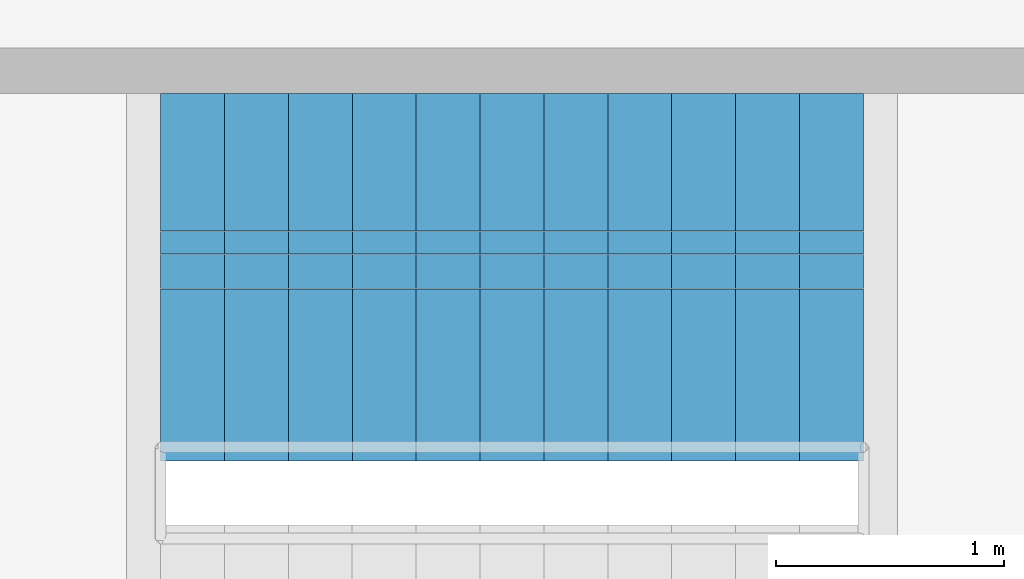
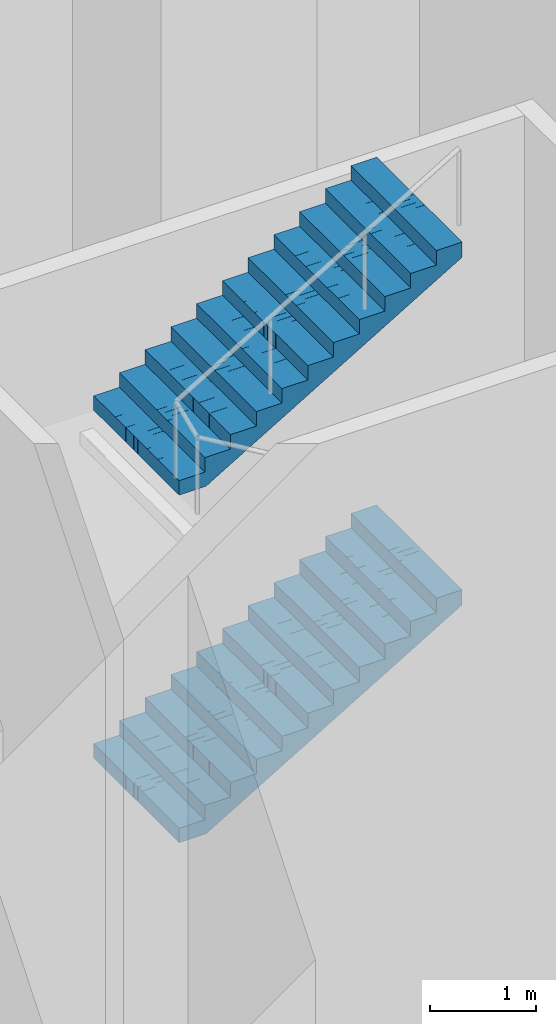
# One storey, part 24 of 25: 2 stair flights, 1 element without a shape of its own.
"""IFC4 building model written with IfcOpenShell, lengths in metres."""

from ifc_helpers import new_model, si_unit, direction, frame, origin, place, context, subcontext, project, spatial, polyline, outline, extrude, material, type_object, element, aggregate, save


model = new_model("IFC4")

# Units and contexts
model_context = context("Model", 3, precision=1e-05, world=origin(), true_north=direction((0.0, 1.0)))
body_context = subcontext(model_context, "Body", "Model", "MODEL_VIEW")
ifc_project = project(units=[si_unit("LENGTHUNIT", "METRE"), si_unit("AREAUNIT", "SQUARE_METRE"), si_unit("VOLUMEUNIT", "CUBIC_METRE"), si_unit("PLANEANGLEUNIT", "RADIAN"), si_unit("MASSUNIT", "GRAM", prefix="KILO")], contexts=[model_context])

# Site, building, storey
site_placement = place(None, origin())
site = spatial("IfcSite", under=ifc_project, at=site_placement, CompositionType="ELEMENT")
building_placement = place(site_placement, origin())
building = spatial("IfcBuilding", under=site, at=building_placement, Name="Mizan Broadcast Tower", CompositionType="ELEMENT")
storey_placement = place(building_placement, frame((0.0, 0.0, 7.0)))
storey = spatial("IfcBuildingStorey", under=building, at=storey_placement, Name="L01", CompositionType="ELEMENT", Elevation=7.0)

# Stair, stair flights
ifc_material_1 = material(Name="Concrete C40/50", Category="concrete")
stair_type = type_object("IfcStairType", Name="EXIT STAIR", PredefinedType="HALF_TURN_STAIR", material=ifc_material_1)
stair_placement = place(storey_placement, origin())
stair = element("IfcStair", 1, at=stair_placement, inside=storey, type_object=stair_type, Name="Stair C L01", PredefinedType="HALF_TURN_STAIR")
ifc_material_2 = material(Name="Concrete C40/50", Category="concrete")
stair_flight_type = type_object("IfcStairFlightType", Name="EXIT STAIR FLIGHT", PredefinedType="STRAIGHT", material=ifc_material_2)
stair_flight_1_placement = place(storey_placement, frame((21.81005859375, 4.094970703125, 2.0), z_axis=(0.0, 0.0, 1.0), x_axis=(1.0, 0.0, 0.0)))
stair_flight_1 = element("IfcStairFlight", 2, at=stair_flight_1_placement, type_object=stair_flight_type, Name="C flight 2", NumberOfRisers=12, NumberOfTreads=11, PredefinedType="STRAIGHT", RiserHeight=0.166666667, TreadLength=0.28, context=body_context, shape_type="SweptSolid", body=[
    extrude(outline(polyline([(0.0, 0.0), (0.0, 0.166748046875), (0.280029296875, 0.166748046875), (0.280029296875, 0.333251953125), (0.56005859375, 0.333251953125), (0.56005859375, 0.5), (0.840087890625, 0.5), (0.840087890625, 0.666748046875), (1.1201171875, 0.666748046875), (1.1201171875, 0.833251953125), (1.39990234375, 0.833251953125), (1.39990234375, 1.0), (1.679931640625, 1.0), (1.679931640625, 1.166748046875), (1.9599609375, 1.166748046875), (1.9599609375, 1.333251953125), (2.239990234375, 1.333251953125), (2.239990234375, 1.5), (2.52001953125, 1.5), (2.52001953125, 1.666748046875), (2.800048828125, 1.666748046875), (2.800048828125, 1.833251953125), (3.080078125, 1.833251953125), (3.080078125, 2.0), (3.080078125, 1.658935546875), (0.29296875, 0.0), (0.0, 0.0)])), frame((0.0, 0.80517578125, 0.0), z_axis=(0.0, -1.0, 0.0), x_axis=(1.0, 0.0, 0.0)), (0.0, 0.0, 1.0), 0.40234375),
    extrude(outline(polyline([(0.0, 0.0), (0.0, 0.166748046875), (0.280029296875, 0.166748046875), (0.280029296875, 0.333251953125), (0.56005859375, 0.333251953125), (0.56005859375, 0.5), (0.840087890625, 0.5), (0.840087890625, 0.666748046875), (1.1201171875, 0.666748046875), (1.1201171875, 0.833251953125), (1.39990234375, 0.833251953125), (1.39990234375, 1.0), (1.679931640625, 1.0), (1.679931640625, 1.166748046875), (1.9599609375, 1.166748046875), (1.9599609375, 1.333251953125), (2.239990234375, 1.333251953125), (2.239990234375, 1.5), (2.52001953125, 1.5), (2.52001953125, 1.666748046875), (2.800048828125, 1.666748046875), (2.800048828125, 1.833251953125), (3.080078125, 1.833251953125), (3.080078125, 2.0), (3.080078125, 1.658935546875), (0.29296875, 0.0), (0.0, 0.0)])), frame((0.0, 0.40234375, 0.0), z_axis=(0.0, -1.0, 0.0), x_axis=(1.0, 0.0, 0.0)), (0.0, 0.0, 1.0), 0.20068359375),
    extrude(outline(polyline([(0.0, 0.0), (0.0, 0.166748046875), (0.280029296875, 0.166748046875), (0.280029296875, 0.333251953125), (0.56005859375, 0.333251953125), (0.56005859375, 0.5), (0.840087890625, 0.5), (0.840087890625, 0.666748046875), (1.1201171875, 0.666748046875), (1.1201171875, 0.833251953125), (1.39990234375, 0.833251953125), (1.39990234375, 1.0), (1.679931640625, 1.0), (1.679931640625, 1.166748046875), (1.9599609375, 1.166748046875), (1.9599609375, 1.333251953125), (2.239990234375, 1.333251953125), (2.239990234375, 1.5), (2.52001953125, 1.5), (2.52001953125, 1.666748046875), (2.800048828125, 1.666748046875), (2.800048828125, 1.833251953125), (3.080078125, 1.833251953125), (3.080078125, 2.0), (3.080078125, 1.658935546875), (0.29296875, 0.0), (0.0, 0.0)])), frame((0.0, 0.201171875, 0.0), z_axis=(0.0, -1.0, 0.0), x_axis=(1.0, 0.0, 0.0)), (0.0, 0.0, 1.0), 0.10009765625),
    extrude(outline(polyline([(0.0, 0.0), (0.0, 0.166748046875), (0.280029296875, 0.166748046875), (0.280029296875, 0.333251953125), (0.56005859375, 0.333251953125), (0.56005859375, 0.5), (0.840087890625, 0.5), (0.840087890625, 0.666748046875), (1.1201171875, 0.666748046875), (1.1201171875, 0.833251953125), (1.39990234375, 0.833251953125), (1.39990234375, 1.0), (1.679931640625, 1.0), (1.679931640625, 1.166748046875), (1.9599609375, 1.166748046875), (1.9599609375, 1.333251953125), (2.239990234375, 1.333251953125), (2.239990234375, 1.5), (2.52001953125, 1.5), (2.52001953125, 1.666748046875), (2.800048828125, 1.666748046875), (2.800048828125, 1.833251953125), (3.080078125, 1.833251953125), (3.080078125, 2.0), (3.080078125, 1.658935546875), (0.29296875, 0.0), (0.0, 0.0)])), frame((0.0, 0.1005859375, 0.0), z_axis=(0.0, -1.0, 0.0), x_axis=(1.0, 0.0, 0.0)), (0.0, 0.0, 1.0), 0.0498046875),
    extrude(outline(polyline([(0.0, 0.0), (0.0, 0.166748046875), (0.280029296875, 0.166748046875), (0.280029296875, 0.333251953125), (0.56005859375, 0.333251953125), (0.56005859375, 0.5), (0.840087890625, 0.5), (0.840087890625, 0.666748046875), (1.1201171875, 0.666748046875), (1.1201171875, 0.833251953125), (1.39990234375, 0.833251953125), (1.39990234375, 1.0), (1.679931640625, 1.0), (1.679931640625, 1.166748046875), (1.9599609375, 1.166748046875), (1.9599609375, 1.333251953125), (2.239990234375, 1.333251953125), (2.239990234375, 1.5), (2.52001953125, 1.5), (2.52001953125, 1.666748046875), (2.800048828125, 1.666748046875), (2.800048828125, 1.833251953125), (3.080078125, 1.833251953125), (3.080078125, 2.0), (3.080078125, 1.658935546875), (0.29296875, 0.0), (0.0, 0.0)])), frame((0.0, 0.05029296875, 0.0), z_axis=(0.0, -1.0, 0.0), x_axis=(1.0, 0.0, 0.0)), (0.0, 0.0, 1.0), 0.024658203125),
    extrude(outline(polyline([(0.0, 0.0), (0.0, 0.166748046875), (0.280029296875, 0.166748046875), (0.280029296875, 0.333251953125), (0.56005859375, 0.333251953125), (0.56005859375, 0.5), (0.840087890625, 0.5), (0.840087890625, 0.666748046875), (1.1201171875, 0.666748046875), (1.1201171875, 0.833251953125), (1.39990234375, 0.833251953125), (1.39990234375, 1.0), (1.679931640625, 1.0), (1.679931640625, 1.166748046875), (1.9599609375, 1.166748046875), (1.9599609375, 1.333251953125), (2.239990234375, 1.333251953125), (2.239990234375, 1.5), (2.52001953125, 1.5), (2.52001953125, 1.666748046875), (2.800048828125, 1.666748046875), (2.800048828125, 1.833251953125), (3.080078125, 1.833251953125), (3.080078125, 2.0), (3.080078125, 1.658935546875), (0.29296875, 0.0), (0.0, 0.0)])), frame((0.0, 0.025146484375, 0.0), z_axis=(0.0, -1.0, 0.0), x_axis=(1.0, 0.0, 0.0)), (0.0, 0.0, 1.0), 0.050048828125),
    extrude(outline(polyline([(0.0, 0.0), (0.0, 0.166748046875), (0.280029296875, 0.166748046875), (0.280029296875, 0.333251953125), (0.56005859375, 0.333251953125), (0.56005859375, 0.5), (0.840087890625, 0.5), (0.840087890625, 0.666748046875), (1.1201171875, 0.666748046875), (1.1201171875, 0.833251953125), (1.39990234375, 0.833251953125), (1.39990234375, 1.0), (1.679931640625, 1.0), (1.679931640625, 1.166748046875), (1.9599609375, 1.166748046875), (1.9599609375, 1.333251953125), (2.239990234375, 1.333251953125), (2.239990234375, 1.5), (2.52001953125, 1.5), (2.52001953125, 1.666748046875), (2.800048828125, 1.666748046875), (2.800048828125, 1.833251953125), (3.080078125, 1.833251953125), (3.080078125, 2.0), (3.080078125, 1.658935546875), (0.29296875, 0.0), (0.0, 0.0)])), frame((0.0, -0.025390625, 0.0), z_axis=(0.0, -1.0, 0.0), x_axis=(1.0, 0.0, 0.0)), (0.0, 0.0, 1.0), 0.024658203125),
    extrude(outline(polyline([(0.0, 0.0), (0.0, 0.166748046875), (0.280029296875, 0.166748046875), (0.280029296875, 0.333251953125), (0.56005859375, 0.333251953125), (0.56005859375, 0.5), (0.840087890625, 0.5), (0.840087890625, 0.666748046875), (1.1201171875, 0.666748046875), (1.1201171875, 0.833251953125), (1.39990234375, 0.833251953125), (1.39990234375, 1.0), (1.679931640625, 1.0), (1.679931640625, 1.166748046875), (1.9599609375, 1.166748046875), (1.9599609375, 1.333251953125), (2.239990234375, 1.333251953125), (2.239990234375, 1.5), (2.52001953125, 1.5), (2.52001953125, 1.666748046875), (2.800048828125, 1.666748046875), (2.800048828125, 1.833251953125), (3.080078125, 1.833251953125), (3.080078125, 2.0), (3.080078125, 1.658935546875), (0.29296875, 0.0), (0.0, 0.0)])), frame((0.0, -0.050537109375, 0.0), z_axis=(0.0, -1.0, 0.0), x_axis=(1.0, 0.0, 0.0)), (0.0, 0.0, 1.0), 0.0498046875),
    extrude(outline(polyline([(0.0, 0.0), (0.0, 0.166748046875), (0.280029296875, 0.166748046875), (0.280029296875, 0.333251953125), (0.56005859375, 0.333251953125), (0.56005859375, 0.5), (0.840087890625, 0.5), (0.840087890625, 0.666748046875), (1.1201171875, 0.666748046875), (1.1201171875, 0.833251953125), (1.39990234375, 0.833251953125), (1.39990234375, 1.0), (1.679931640625, 1.0), (1.679931640625, 1.166748046875), (1.9599609375, 1.166748046875), (1.9599609375, 1.333251953125), (2.239990234375, 1.333251953125), (2.239990234375, 1.5), (2.52001953125, 1.5), (2.52001953125, 1.666748046875), (2.800048828125, 1.666748046875), (2.800048828125, 1.833251953125), (3.080078125, 1.833251953125), (3.080078125, 2.0), (3.080078125, 1.658935546875), (0.29296875, 0.0), (0.0, 0.0)])), frame((0.0, -0.100830078125, 0.0), z_axis=(0.0, -1.0, 0.0), x_axis=(1.0, 0.0, 0.0)), (0.0, 0.0, 1.0), 0.10009765625),
    extrude(outline(polyline([(0.0, 0.0), (0.0, 0.166748046875), (0.280029296875, 0.166748046875), (0.280029296875, 0.333251953125), (0.56005859375, 0.333251953125), (0.56005859375, 0.5), (0.840087890625, 0.5), (0.840087890625, 0.666748046875), (1.1201171875, 0.666748046875), (1.1201171875, 0.833251953125), (1.39990234375, 0.833251953125), (1.39990234375, 1.0), (1.679931640625, 1.0), (1.679931640625, 1.166748046875), (1.9599609375, 1.166748046875), (1.9599609375, 1.333251953125), (2.239990234375, 1.333251953125), (2.239990234375, 1.5), (2.52001953125, 1.5), (2.52001953125, 1.666748046875), (2.800048828125, 1.666748046875), (2.800048828125, 1.833251953125), (3.080078125, 1.833251953125), (3.080078125, 2.0), (3.080078125, 1.658935546875), (0.29296875, 0.0), (0.0, 0.0)])), frame((0.0, -0.201416015625, 0.0), z_axis=(0.0, -1.0, 0.0), x_axis=(1.0, 0.0, 0.0)), (0.0, 0.0, 1.0), 0.20068359375),
    extrude(outline(polyline([(0.0, 0.0), (0.0, 0.166748046875), (0.280029296875, 0.166748046875), (0.280029296875, 0.333251953125), (0.56005859375, 0.333251953125), (0.56005859375, 0.5), (0.840087890625, 0.5), (0.840087890625, 0.666748046875), (1.1201171875, 0.666748046875), (1.1201171875, 0.833251953125), (1.39990234375, 0.833251953125), (1.39990234375, 1.0), (1.679931640625, 1.0), (1.679931640625, 1.166748046875), (1.9599609375, 1.166748046875), (1.9599609375, 1.333251953125), (2.239990234375, 1.333251953125), (2.239990234375, 1.5), (2.52001953125, 1.5), (2.52001953125, 1.666748046875), (2.800048828125, 1.666748046875), (2.800048828125, 1.833251953125), (3.080078125, 1.833251953125), (3.080078125, 2.0), (3.080078125, 1.658935546875), (0.29296875, 0.0), (0.0, 0.0)])), frame((0.0, -0.402587890625, 0.0), z_axis=(0.0, -1.0, 0.0), x_axis=(1.0, 0.0, 0.0)), (0.0, 0.0, 1.0), 0.40234375),
])
stair_flight_2_placement = place(storey_placement, frame((21.81005859375, 4.094970703125, 6.0), z_axis=(0.0, 0.0, 1.0), x_axis=(1.0, 0.0, 0.0)))
stair_flight_2 = element("IfcStairFlight", 3, at=stair_flight_2_placement, type_object=stair_flight_type, Name="C flight 4", NumberOfRisers=12, NumberOfTreads=11, PredefinedType="STRAIGHT", RiserHeight=0.166666667, TreadLength=0.28, context=body_context, shape_type="SweptSolid", body=[
    extrude(outline(polyline([(0.0, 0.0), (0.0, 0.166748046875), (0.280029296875, 0.166748046875), (0.280029296875, 0.333251953125), (0.56005859375, 0.333251953125), (0.56005859375, 0.5), (0.840087890625, 0.5), (0.840087890625, 0.666748046875), (1.1201171875, 0.666748046875), (1.1201171875, 0.833251953125), (1.39990234375, 0.833251953125), (1.39990234375, 1.0), (1.679931640625, 1.0), (1.679931640625, 1.166748046875), (1.9599609375, 1.166748046875), (1.9599609375, 1.333251953125), (2.239990234375, 1.333251953125), (2.239990234375, 1.5), (2.52001953125, 1.5), (2.52001953125, 1.666748046875), (2.800048828125, 1.666748046875), (2.800048828125, 1.833251953125), (3.080078125, 1.833251953125), (3.080078125, 2.0), (3.080078125, 1.658935546875), (0.29296875, 0.0), (0.0, 0.0)])), frame((0.0, 0.80517578125, 0.0), z_axis=(0.0, -1.0, 0.0), x_axis=(1.0, 0.0, 0.0)), (0.0, 0.0, 1.0), 0.40234375),
    extrude(outline(polyline([(0.0, 0.0), (0.0, 0.166748046875), (0.280029296875, 0.166748046875), (0.280029296875, 0.333251953125), (0.56005859375, 0.333251953125), (0.56005859375, 0.5), (0.840087890625, 0.5), (0.840087890625, 0.666748046875), (1.1201171875, 0.666748046875), (1.1201171875, 0.833251953125), (1.39990234375, 0.833251953125), (1.39990234375, 1.0), (1.679931640625, 1.0), (1.679931640625, 1.166748046875), (1.9599609375, 1.166748046875), (1.9599609375, 1.333251953125), (2.239990234375, 1.333251953125), (2.239990234375, 1.5), (2.52001953125, 1.5), (2.52001953125, 1.666748046875), (2.800048828125, 1.666748046875), (2.800048828125, 1.833251953125), (3.080078125, 1.833251953125), (3.080078125, 2.0), (3.080078125, 1.658935546875), (0.29296875, 0.0), (0.0, 0.0)])), frame((0.0, 0.40234375, 0.0), z_axis=(0.0, -1.0, 0.0), x_axis=(1.0, 0.0, 0.0)), (0.0, 0.0, 1.0), 0.20068359375),
    extrude(outline(polyline([(0.0, 0.0), (0.0, 0.166748046875), (0.280029296875, 0.166748046875), (0.280029296875, 0.333251953125), (0.56005859375, 0.333251953125), (0.56005859375, 0.5), (0.840087890625, 0.5), (0.840087890625, 0.666748046875), (1.1201171875, 0.666748046875), (1.1201171875, 0.833251953125), (1.39990234375, 0.833251953125), (1.39990234375, 1.0), (1.679931640625, 1.0), (1.679931640625, 1.166748046875), (1.9599609375, 1.166748046875), (1.9599609375, 1.333251953125), (2.239990234375, 1.333251953125), (2.239990234375, 1.5), (2.52001953125, 1.5), (2.52001953125, 1.666748046875), (2.800048828125, 1.666748046875), (2.800048828125, 1.833251953125), (3.080078125, 1.833251953125), (3.080078125, 2.0), (3.080078125, 1.658935546875), (0.29296875, 0.0), (0.0, 0.0)])), frame((0.0, 0.201171875, 0.0), z_axis=(0.0, -1.0, 0.0), x_axis=(1.0, 0.0, 0.0)), (0.0, 0.0, 1.0), 0.10009765625),
    extrude(outline(polyline([(0.0, 0.0), (0.0, 0.166748046875), (0.280029296875, 0.166748046875), (0.280029296875, 0.333251953125), (0.56005859375, 0.333251953125), (0.56005859375, 0.5), (0.840087890625, 0.5), (0.840087890625, 0.666748046875), (1.1201171875, 0.666748046875), (1.1201171875, 0.833251953125), (1.39990234375, 0.833251953125), (1.39990234375, 1.0), (1.679931640625, 1.0), (1.679931640625, 1.166748046875), (1.9599609375, 1.166748046875), (1.9599609375, 1.333251953125), (2.239990234375, 1.333251953125), (2.239990234375, 1.5), (2.52001953125, 1.5), (2.52001953125, 1.666748046875), (2.800048828125, 1.666748046875), (2.800048828125, 1.833251953125), (3.080078125, 1.833251953125), (3.080078125, 2.0), (3.080078125, 1.658935546875), (0.29296875, 0.0), (0.0, 0.0)])), frame((0.0, 0.1005859375, 0.0), z_axis=(0.0, -1.0, 0.0), x_axis=(1.0, 0.0, 0.0)), (0.0, 0.0, 1.0), 0.0498046875),
    extrude(outline(polyline([(0.0, 0.0), (0.0, 0.166748046875), (0.280029296875, 0.166748046875), (0.280029296875, 0.333251953125), (0.56005859375, 0.333251953125), (0.56005859375, 0.5), (0.840087890625, 0.5), (0.840087890625, 0.666748046875), (1.1201171875, 0.666748046875), (1.1201171875, 0.833251953125), (1.39990234375, 0.833251953125), (1.39990234375, 1.0), (1.679931640625, 1.0), (1.679931640625, 1.166748046875), (1.9599609375, 1.166748046875), (1.9599609375, 1.333251953125), (2.239990234375, 1.333251953125), (2.239990234375, 1.5), (2.52001953125, 1.5), (2.52001953125, 1.666748046875), (2.800048828125, 1.666748046875), (2.800048828125, 1.833251953125), (3.080078125, 1.833251953125), (3.080078125, 2.0), (3.080078125, 1.658935546875), (0.29296875, 0.0), (0.0, 0.0)])), frame((0.0, 0.05029296875, 0.0), z_axis=(0.0, -1.0, 0.0), x_axis=(1.0, 0.0, 0.0)), (0.0, 0.0, 1.0), 0.024658203125),
    extrude(outline(polyline([(0.0, 0.0), (0.0, 0.166748046875), (0.280029296875, 0.166748046875), (0.280029296875, 0.333251953125), (0.56005859375, 0.333251953125), (0.56005859375, 0.5), (0.840087890625, 0.5), (0.840087890625, 0.666748046875), (1.1201171875, 0.666748046875), (1.1201171875, 0.833251953125), (1.39990234375, 0.833251953125), (1.39990234375, 1.0), (1.679931640625, 1.0), (1.679931640625, 1.166748046875), (1.9599609375, 1.166748046875), (1.9599609375, 1.333251953125), (2.239990234375, 1.333251953125), (2.239990234375, 1.5), (2.52001953125, 1.5), (2.52001953125, 1.666748046875), (2.800048828125, 1.666748046875), (2.800048828125, 1.833251953125), (3.080078125, 1.833251953125), (3.080078125, 2.0), (3.080078125, 1.658935546875), (0.29296875, 0.0), (0.0, 0.0)])), frame((0.0, 0.025146484375, 0.0), z_axis=(0.0, -1.0, 0.0), x_axis=(1.0, 0.0, 0.0)), (0.0, 0.0, 1.0), 0.050048828125),
    extrude(outline(polyline([(0.0, 0.0), (0.0, 0.166748046875), (0.280029296875, 0.166748046875), (0.280029296875, 0.333251953125), (0.56005859375, 0.333251953125), (0.56005859375, 0.5), (0.840087890625, 0.5), (0.840087890625, 0.666748046875), (1.1201171875, 0.666748046875), (1.1201171875, 0.833251953125), (1.39990234375, 0.833251953125), (1.39990234375, 1.0), (1.679931640625, 1.0), (1.679931640625, 1.166748046875), (1.9599609375, 1.166748046875), (1.9599609375, 1.333251953125), (2.239990234375, 1.333251953125), (2.239990234375, 1.5), (2.52001953125, 1.5), (2.52001953125, 1.666748046875), (2.800048828125, 1.666748046875), (2.800048828125, 1.833251953125), (3.080078125, 1.833251953125), (3.080078125, 2.0), (3.080078125, 1.658935546875), (0.29296875, 0.0), (0.0, 0.0)])), frame((0.0, -0.025390625, 0.0), z_axis=(0.0, -1.0, 0.0), x_axis=(1.0, 0.0, 0.0)), (0.0, 0.0, 1.0), 0.024658203125),
    extrude(outline(polyline([(0.0, 0.0), (0.0, 0.166748046875), (0.280029296875, 0.166748046875), (0.280029296875, 0.333251953125), (0.56005859375, 0.333251953125), (0.56005859375, 0.5), (0.840087890625, 0.5), (0.840087890625, 0.666748046875), (1.1201171875, 0.666748046875), (1.1201171875, 0.833251953125), (1.39990234375, 0.833251953125), (1.39990234375, 1.0), (1.679931640625, 1.0), (1.679931640625, 1.166748046875), (1.9599609375, 1.166748046875), (1.9599609375, 1.333251953125), (2.239990234375, 1.333251953125), (2.239990234375, 1.5), (2.52001953125, 1.5), (2.52001953125, 1.666748046875), (2.800048828125, 1.666748046875), (2.800048828125, 1.833251953125), (3.080078125, 1.833251953125), (3.080078125, 2.0), (3.080078125, 1.658935546875), (0.29296875, 0.0), (0.0, 0.0)])), frame((0.0, -0.050537109375, 0.0), z_axis=(0.0, -1.0, 0.0), x_axis=(1.0, 0.0, 0.0)), (0.0, 0.0, 1.0), 0.0498046875),
    extrude(outline(polyline([(0.0, 0.0), (0.0, 0.166748046875), (0.280029296875, 0.166748046875), (0.280029296875, 0.333251953125), (0.56005859375, 0.333251953125), (0.56005859375, 0.5), (0.840087890625, 0.5), (0.840087890625, 0.666748046875), (1.1201171875, 0.666748046875), (1.1201171875, 0.833251953125), (1.39990234375, 0.833251953125), (1.39990234375, 1.0), (1.679931640625, 1.0), (1.679931640625, 1.166748046875), (1.9599609375, 1.166748046875), (1.9599609375, 1.333251953125), (2.239990234375, 1.333251953125), (2.239990234375, 1.5), (2.52001953125, 1.5), (2.52001953125, 1.666748046875), (2.800048828125, 1.666748046875), (2.800048828125, 1.833251953125), (3.080078125, 1.833251953125), (3.080078125, 2.0), (3.080078125, 1.658935546875), (0.29296875, 0.0), (0.0, 0.0)])), frame((0.0, -0.100830078125, 0.0), z_axis=(0.0, -1.0, 0.0), x_axis=(1.0, 0.0, 0.0)), (0.0, 0.0, 1.0), 0.10009765625),
    extrude(outline(polyline([(0.0, 0.0), (0.0, 0.166748046875), (0.280029296875, 0.166748046875), (0.280029296875, 0.333251953125), (0.56005859375, 0.333251953125), (0.56005859375, 0.5), (0.840087890625, 0.5), (0.840087890625, 0.666748046875), (1.1201171875, 0.666748046875), (1.1201171875, 0.833251953125), (1.39990234375, 0.833251953125), (1.39990234375, 1.0), (1.679931640625, 1.0), (1.679931640625, 1.166748046875), (1.9599609375, 1.166748046875), (1.9599609375, 1.333251953125), (2.239990234375, 1.333251953125), (2.239990234375, 1.5), (2.52001953125, 1.5), (2.52001953125, 1.666748046875), (2.800048828125, 1.666748046875), (2.800048828125, 1.833251953125), (3.080078125, 1.833251953125), (3.080078125, 2.0), (3.080078125, 1.658935546875), (0.29296875, 0.0), (0.0, 0.0)])), frame((0.0, -0.201416015625, 0.0), z_axis=(0.0, -1.0, 0.0), x_axis=(1.0, 0.0, 0.0)), (0.0, 0.0, 1.0), 0.20068359375),
    extrude(outline(polyline([(0.0, 0.0), (0.0, 0.166748046875), (0.280029296875, 0.166748046875), (0.280029296875, 0.333251953125), (0.56005859375, 0.333251953125), (0.56005859375, 0.5), (0.840087890625, 0.5), (0.840087890625, 0.666748046875), (1.1201171875, 0.666748046875), (1.1201171875, 0.833251953125), (1.39990234375, 0.833251953125), (1.39990234375, 1.0), (1.679931640625, 1.0), (1.679931640625, 1.166748046875), (1.9599609375, 1.166748046875), (1.9599609375, 1.333251953125), (2.239990234375, 1.333251953125), (2.239990234375, 1.5), (2.52001953125, 1.5), (2.52001953125, 1.666748046875), (2.800048828125, 1.666748046875), (2.800048828125, 1.833251953125), (3.080078125, 1.833251953125), (3.080078125, 2.0), (3.080078125, 1.658935546875), (0.29296875, 0.0), (0.0, 0.0)])), frame((0.0, -0.402587890625, 0.0), z_axis=(0.0, -1.0, 0.0), x_axis=(1.0, 0.0, 0.0)), (0.0, 0.0, 1.0), 0.40234375),
])
aggregate(stair, [stair_flight_1, stair_flight_2])

save(model, "model.ifc")
